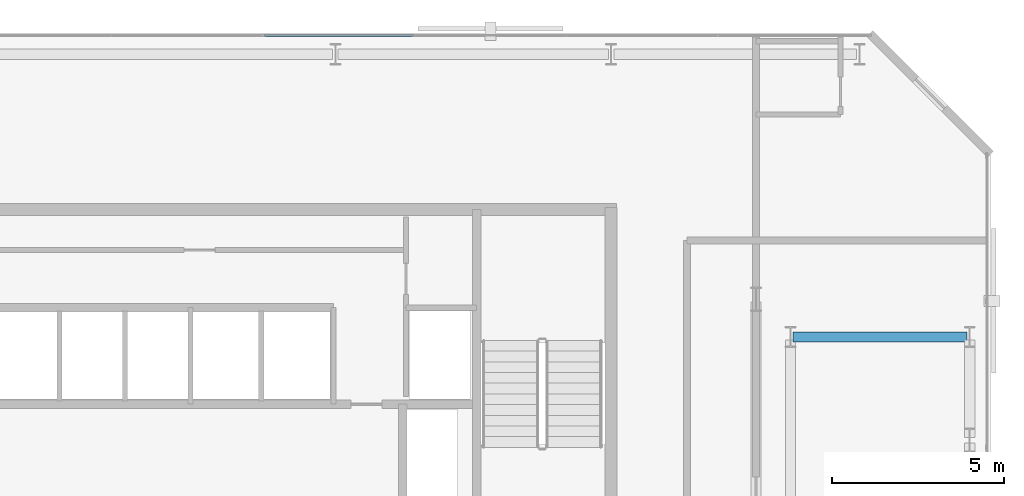
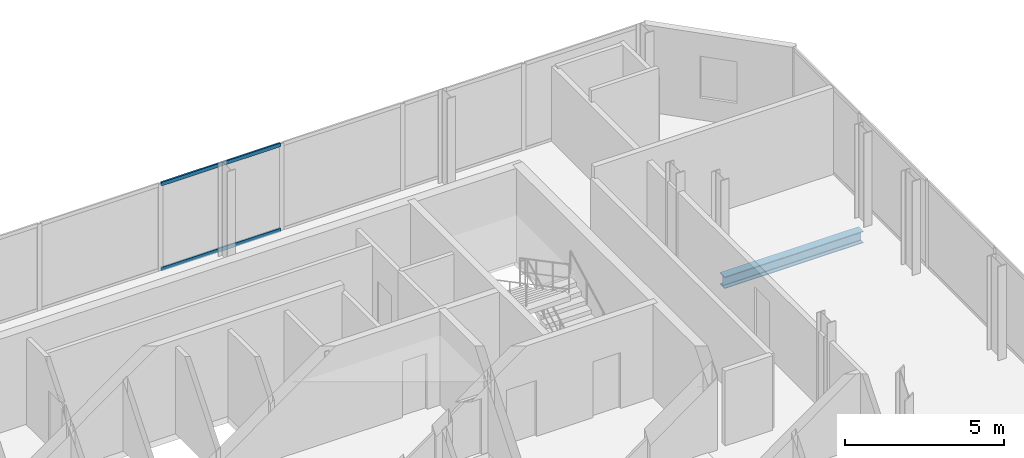
# One storey, part 23 of 32: 2 members, 1 beam, 1 element without a shape of its own.
"""IFC4 building model written with IfcOpenShell, lengths in metres."""

from ifc_helpers import new_model, si_unit, direction, frame, origin, origin_2d, place, context, subcontext, project, spatial, hollow_rectangle, i_section, extrude, material, layer, layer_set, material_profile, profile_set, type_object, element, aggregate, save


model = new_model("IFC4")

# Units and contexts
model_context = context("Model", 3, precision=1e-05, world=origin(), true_north=direction((0.0, 1.0)))
body_context = subcontext(model_context, "Body", "Model", "MODEL_VIEW")
ifc_project = project(units=[si_unit("LENGTHUNIT", "METRE"), si_unit("AREAUNIT", "SQUARE_METRE"), si_unit("VOLUMEUNIT", "CUBIC_METRE"), si_unit("PLANEANGLEUNIT", "RADIAN"), si_unit("MASSUNIT", "GRAM", prefix="KILO")], contexts=[model_context])

# Site, building, storey
site_placement = place(None, origin())
site = spatial("IfcSite", under=ifc_project, at=site_placement, CompositionType="ELEMENT")
building_placement = place(site_placement, origin())
building = spatial("IfcBuilding", under=site, at=building_placement, Name="Catumbela Crestline Tower", CompositionType="ELEMENT")
storey_placement = place(building_placement, frame((0.0, 0.0, 126.0)))
storey = spatial("IfcBuildingStorey", under=building, at=storey_placement, Name="L32", CompositionType="ELEMENT", Elevation=126.0)

# Beam
ifc_material_1 = material(Name="Structural steel S355J2", Category="steel")
ifc_material_profile_1 = material_profile(ifc_material_1, i_section(OverallWidth=0.3, OverallDepth=0.45, WebThickness=0.014, FlangeThickness=0.026, FilletRadius=0.027, at=origin_2d()), Name="HEB 450")
ifc_profile_set_1 = profile_set([ifc_material_profile_1], Name="Structural steel S355J2")
beam_type = type_object("IfcBeamType", Name="BG-HEB450", PredefinedType="BEAM", material=ifc_profile_set_1)
beam_placement = place(storey_placement, frame((45.28, 39.2, -0.485), z_axis=(1.0, 0.0, 0.0), x_axis=(0.0, 1.0, 0.0)))
element("IfcBeam", 1, at=beam_placement, inside=storey, type_object=beam_type, Name="L32 Beam BM-L32-N16", PredefinedType="BEAM", context=body_context, shape_type="SweptSolid", body=[
    extrude(i_section(OverallWidth=0.3, OverallDepth=0.45, WebThickness=0.014, FlangeThickness=0.026, FilletRadius=0.027, at=origin_2d()), origin(), (0.0, 0.0, 1.0), 5.04),
])

# Curtain wall, members
ifc_material_2 = material(Name="Aluminium alloy AW-6060-T66", Category="aluminium")
ifc_layer = layer(ifc_material_2, 0.18, Name="Aluminium alloy AW-6060-T66")
ifc_layer_set = layer_set([ifc_layer], Name="Aluminium alloy AW-6060-T66")
curtain_wall_type = type_object("IfcCurtainWallType", Name="CWU-Z2", PredefinedType="USERDEFINED", material=ifc_layer_set)
curtain_wall_placement = place(storey_placement, origin())
curtain_wall = element("IfcCurtainWall", 2, at=curtain_wall_placement, inside=storey, type_object=curtain_wall_type, Name="L32 Unitised Curtain Wall CW-L32-E7S1", ObjectType="UNITISED", PredefinedType="USERDEFINED")
ifc_material_profile_2 = material_profile(ifc_material_2, hollow_rectangle(XDim=0.06, YDim=0.14, WallThickness=0.004, at=origin_2d()), Name="ALU 140x60x4")
ifc_profile_set_2 = profile_set([ifc_material_profile_2], Name="Aluminium alloy AW-6060-T66")
member_type = type_object("IfcMemberType", Name="TRN-140X60", PredefinedType="USERDEFINED", material=ifc_profile_set_2)
member_1_placement = place(storey_placement, frame((34.2675, 47.95, 0.03), z_axis=(-1.0, 0.0, 0.0), x_axis=(0.0, -1.0, 0.0)))
member_1 = element("IfcMember", 3, at=member_1_placement, type_object=member_type, Name="CWU-Z2 transom 4.1", ObjectType="TRANSOM", PredefinedType="USERDEFINED", context=body_context, shape_type="SweptSolid", body=[
    extrude(hollow_rectangle(XDim=0.06, YDim=0.14, WallThickness=0.004, at=origin_2d()), origin(), (0.0, 0.0, 1.0), 4.335),
])
member_2_placement = place(storey_placement, frame((34.2675, 47.95, 3.3), z_axis=(-1.0, 0.0, 0.0), x_axis=(0.0, -1.0, 0.0)))
member_2 = element("IfcMember", 4, at=member_2_placement, type_object=member_type, Name="CWU-Z2 transom 4.2", ObjectType="TRANSOM", PredefinedType="USERDEFINED", context=body_context, shape_type="SweptSolid", body=[
    extrude(hollow_rectangle(XDim=0.06, YDim=0.14, WallThickness=0.004, at=origin_2d()), origin(), (0.0, 0.0, 1.0), 4.335),
])
aggregate(curtain_wall, [member_1, member_2])

save(model, "model.ifc")
